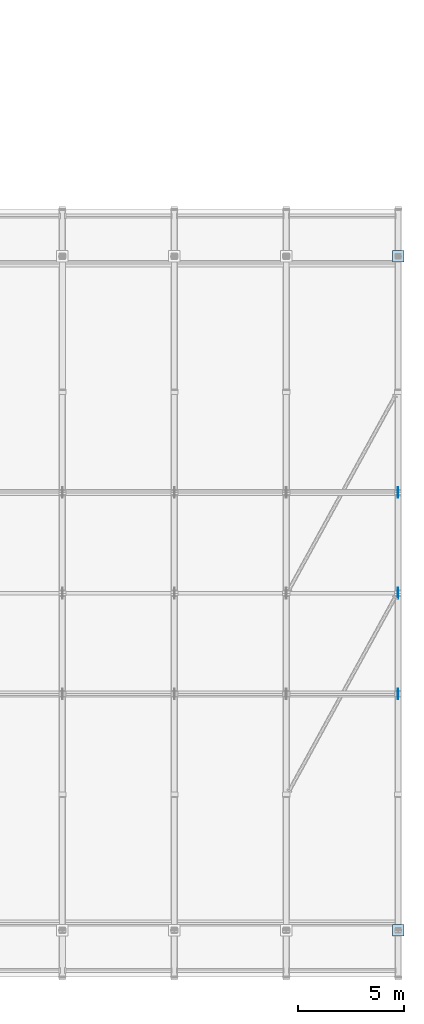
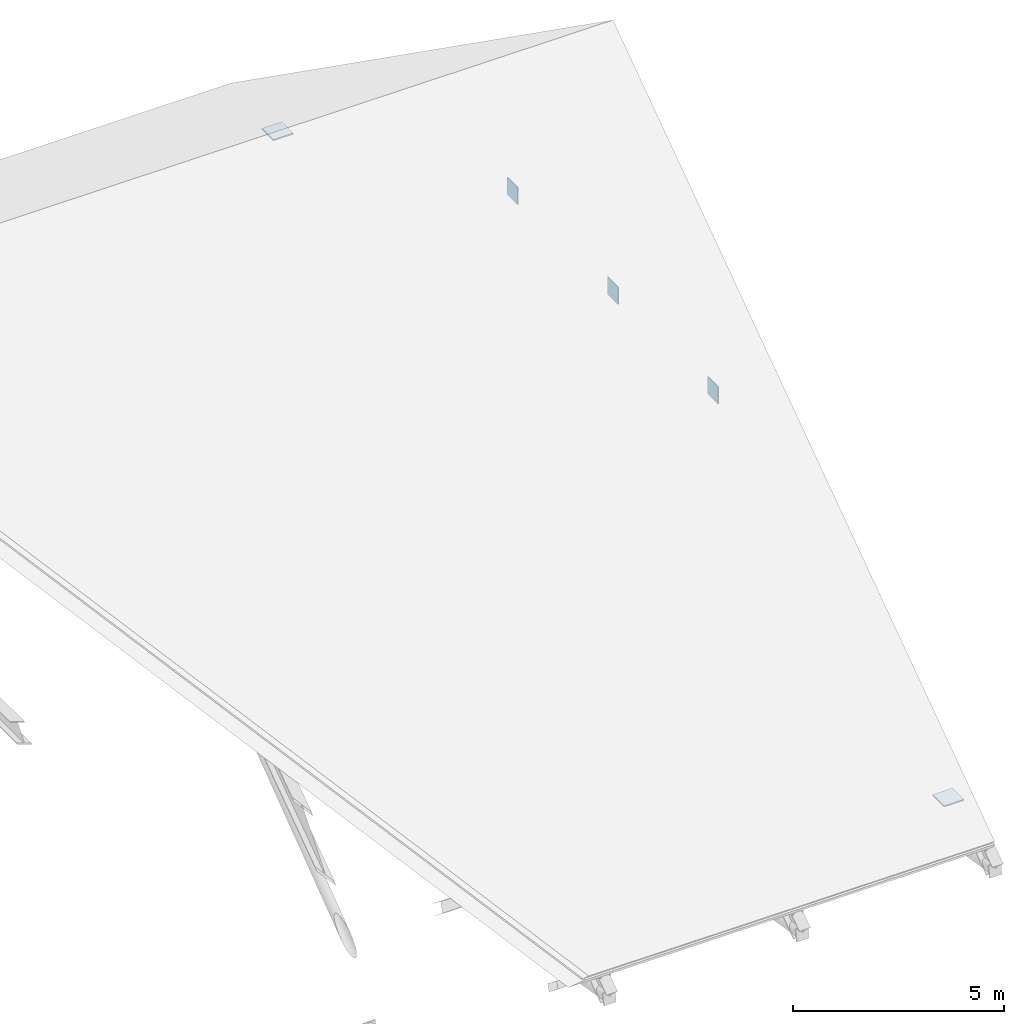
# One storey, part 38 of 57: 5 plates.
"""IFC4 building model written with IfcOpenShell, lengths in metres."""

import ifcopenshell
import ifcopenshell.guid

model = None  # the IFC model being written
_history = None  # IfcOwnerHistory: only IFC2X3 demands one
_inside = {}  # id of a spatial element -> (the spatial element, [elements in it])
_under = {}  # id of a project, library or spatial element -> (it, [spatial elements below it])
_declared = {}  # id of a project -> (the project, [libraries it declares])
_typed = {}  # id of a type object -> (the type object, [elements of that type])
_made_of = {}  # id of a material, layer set ... -> (it, [elements and type objects made of it])


def new_model(schema):
    """Start an empty IFC model of exactly this schema.

    Asked for "IFC4X3", IfcOpenShell would pick the latest addendum, in which some entities
    have other attributes; the version numbers below select the first issue.
    IFC2X3 requires an IfcOwnerHistory on every rooted entity: one is made here for all.
    """
    global model, _history
    if schema == "IFC4X3":
        model = ifcopenshell.file(schema_version=(4, 3, 0, 0))
    else:
        model = ifcopenshell.file(schema=schema)
    _inside.clear()
    _under.clear()
    _declared.clear()
    _typed.clear()
    _made_of.clear()
    _history = None
    if model.schema == "IFC2X3":
        org = make("IfcOrganization", Name="unknown")
        user = make(
            "IfcPersonAndOrganization",
            ThePerson=make("IfcPerson", FamilyName="unknown"),
            TheOrganization=org,
        )
        app = make(
            "IfcApplication",
            ApplicationDeveloper=org,
            Version="unknown",
            ApplicationFullName="unknown",
            ApplicationIdentifier="unknown",
        )
        _history = make(
            "IfcOwnerHistory",
            OwningUser=user,
            OwningApplication=app,
            ChangeAction="ADDED",
            CreationDate=0,
        )
    return model


def make(cls, **values):
    """One entity of the class cls with the attributes given. An attribute that is None is left unset."""
    return model.create_entity(
        cls, **{name: value for name, value in values.items() if value is not None}
    )


def rooted(cls, **values):
    """An entity with a GlobalId (a new one), such as an element, a storey or a relation."""
    return make(cls, GlobalId=ifcopenshell.guid.new(), OwnerHistory=_history, **values)


def si_unit(unit_type, name, prefix=None):
    """IfcSIUnit, for example si_unit("LENGTHUNIT", "METRE", prefix="MILLI")."""
    return make("IfcSIUnit", UnitType=unit_type, Prefix=prefix, Name=name)


def assignment(units):
    """IfcUnitAssignment: the units of a project."""
    return None if units is None else make("IfcUnitAssignment", Units=units)


def point(xyz):
    """IfcCartesianPoint."""
    return None if xyz is None else make("IfcCartesianPoint", Coordinates=xyz)


def direction(xyz):
    """IfcDirection."""
    return None if xyz is None else make("IfcDirection", DirectionRatios=xyz)


def frame(location, z_axis=None, x_axis=None):
    """IfcAxis2Placement3D, a coordinate frame: its origin and axes. An axis left out is left unset."""
    return make(
        "IfcAxis2Placement3D",
        Location=point(location),
        Axis=direction(z_axis),
        RefDirection=direction(x_axis),
    )


def frame_2d(location, x_axis=None):
    """IfcAxis2Placement2D, a coordinate frame in the plane: its origin and x axis."""
    return make(
        "IfcAxis2Placement2D", Location=point(location), RefDirection=direction(x_axis)
    )


def origin():
    """The frame at (0, 0, 0) with its axes left unset."""
    return frame((0.0, 0.0, 0.0))


def origin_2d():
    """The frame at (0, 0) in the plane with its x axis left unset."""
    return frame_2d((0.0, 0.0))


def place(relative_to, where):
    """IfcLocalPlacement: puts the frame where relative to a parent placement (None: the world)."""
    return make(
        "IfcLocalPlacement", PlacementRelTo=relative_to, RelativePlacement=where
    )


def context(
    kind, dimensions, precision=None, world=None, true_north=None, identifier=None
):
    """IfcGeometricRepresentationContext, for example the 3D "Model" context."""
    return make(
        "IfcGeometricRepresentationContext",
        ContextIdentifier=identifier,
        ContextType=kind,
        CoordinateSpaceDimension=dimensions,
        Precision=precision,
        WorldCoordinateSystem=world,
        TrueNorth=true_north,
    )


def subcontext(parent, identifier, kind, view, scale=None):
    """IfcGeometricRepresentationSubContext, for example "Body" below "Model"."""
    return make(
        "IfcGeometricRepresentationSubContext",
        ContextIdentifier=identifier,
        ContextType=kind,
        ParentContext=parent,
        TargetScale=scale,
        TargetView=view,
    )


def project(units=None, contexts=None):
    """IfcProject with its units and contexts."""
    return rooted(
        "IfcProject",
        Name="project",
        RepresentationContexts=contexts,
        UnitsInContext=assignment(units),
    )


def spatial(cls, under=None, at=None, **own):
    """A site, building, storey or space (cls), placed at a placement, below another one or the project."""
    s = rooted(cls, ObjectPlacement=at, **own)
    if under is not None:
        _under.setdefault(under.id(), (under, []))[1].append(s)
    return s


def profile(cls, at=None, kind="AREA", **sizes):
    """A parametric profile (cls). Its sizes go by their IFC names, for example OverallWidth=200.0."""
    return make(cls, ProfileType=kind, Position=at, **sizes)


def rectangle(**sizes):
    """IfcRectangleProfileDef."""
    return profile("IfcRectangleProfileDef", **sizes)


def extrude(swept, where, along, depth):
    """IfcExtrudedAreaSolid: the profile swept, set in the frame where, extruded along a direction by depth."""
    return make(
        "IfcExtrudedAreaSolid",
        SweptArea=swept,
        Position=where,
        ExtrudedDirection=direction(along),
        Depth=depth,
    )


def shape(context_of_items, identifier, shape_type, items):
    """IfcShapeRepresentation: the items that make up one representation, for example the "Body"."""
    return make(
        "IfcShapeRepresentation",
        ContextOfItems=context_of_items,
        RepresentationIdentifier=identifier,
        RepresentationType=shape_type,
        Items=items,
    )


def material(Name=None, Category=None):
    """IfcMaterial."""
    return make("IfcMaterial", Name=Name, Category=Category)


def layer(
    of_material, thickness, ventilated=None, Name=None, Category=None, Priority=None
):
    """IfcMaterialLayer: one layer of a wall or slab, of a material (None: an air gap)."""
    return make(
        "IfcMaterialLayer",
        Material=of_material,
        LayerThickness=thickness,
        IsVentilated=ventilated,
        Name=Name,
        Category=Category,
        Priority=Priority,
    )


def layer_set(layers, Name=None):
    """IfcMaterialLayerSet."""
    return make("IfcMaterialLayerSet", MaterialLayers=layers, LayerSetName=Name)


def made_of(thing, what):
    """Note that an element or type object is made of a material, layer set ...; save() writes the relation."""
    if what is not None:
        _made_of.setdefault(what.id(), (what, []))[1].append(thing)
    return thing


def type_object(cls, material=None, **own):
    """A type object (cls), such as IfcWallType, which elements share."""
    return made_of(rooted(cls, **own), material)


def element(
    cls,
    number,
    at=None,
    inside=None,
    cuts=None,
    type_object=None,
    material=None,
    context=None,
    identifier="Body",
    shape_type=None,
    held_by="IfcProductDefinitionShape",
    body=None,
    shapes=None,
    **own,
):
    """One element of the class cls, such as IfcWall. Its Tag is "e" and its number.

    at: its placement. inside: the storey or other place that contains it. cuts: it is an
    opening in that element (IfcRelVoidsElement). A single representation is given by context,
    identifier, shape_type and body (its items); several are given by shapes. held_by: the class
    of the entity that holds the representations. save() writes the other relations.
    """
    e = rooted(cls, Tag="e%d" % number, ObjectPlacement=at, **own)
    if body is not None:
        shapes = [shape(context, identifier, shape_type, body)]
    if shapes is not None:
        e.Representation = make(held_by, Representations=shapes)
    if inside is not None:
        _inside.setdefault(inside.id(), (inside, []))[1].append(e)
    if cuts is not None:
        rooted(
            "IfcRelVoidsElement", RelatingBuildingElement=cuts, RelatedOpeningElement=e
        )
    if type_object is not None:
        _typed.setdefault(type_object.id(), (type_object, []))[1].append(e)
    return made_of(e, material)


def aggregate(whole, parts):
    """IfcRelAggregates: a whole, such as a stair, and the parts it consists of."""
    return rooted("IfcRelAggregates", RelatingObject=whole, RelatedObjects=parts)


def save(model, path):
    """Write the relations noted so far, then the file.

    IfcRelAggregates (storeys below a building ...), IfcRelContainedInSpatialStructure (elements
    in a storey), IfcRelDefinesByType, IfcRelAssociatesMaterial and IfcRelDeclares: one each for
    every whole, place, type object, material and project.
    """
    for whole, parts in _under.values():
        aggregate(whole, parts)
    for where, things in _inside.values():
        rooted(
            "IfcRelContainedInSpatialStructure",
            RelatedElements=things,
            RelatingStructure=where,
        )
    for kind, things in _typed.values():
        rooted("IfcRelDefinesByType", RelatedObjects=things, RelatingType=kind)
    for what, things in _made_of.values():
        rooted("IfcRelAssociatesMaterial", RelatedObjects=things, RelatingMaterial=what)
    for by, libraries in _declared.values():
        rooted("IfcRelDeclares", RelatingContext=by, RelatedDefinitions=libraries)
    model.write(path)


model = new_model("IFC4")

# Units and contexts
model_context = context("Model", 3, precision=1e-05, world=origin(), true_north=direction((0.0, 1.0)))
body_context = subcontext(model_context, "Body", "Model", "MODEL_VIEW")
ifc_project = project(units=[si_unit("LENGTHUNIT", "METRE"), si_unit("AREAUNIT", "SQUARE_METRE"), si_unit("VOLUMEUNIT", "CUBIC_METRE"), si_unit("PLANEANGLEUNIT", "RADIAN"), si_unit("MASSUNIT", "GRAM", prefix="KILO")], contexts=[model_context])

# Site, building, storey
site_placement = place(None, origin())
site = spatial("IfcSite", under=ifc_project, at=site_placement, CompositionType="ELEMENT")
building_placement = place(site_placement, origin())
building = spatial("IfcBuilding", under=site, at=building_placement, Name="Kelarvand Opera House", CompositionType="ELEMENT")
storey_placement = place(building_placement, frame((0.0, 0.0, 33.60009765625)))
storey = spatial("IfcBuildingStorey", under=building, at=storey_placement, Name="Roof", CompositionType="ELEMENT", Elevation=33.60009765625)

# Plates
ifc_material = material(Name="Steel S355", Category="steel")
ifc_layer_1 = layer(ifc_material, 0.035888671875, Name="Steel S355", Category="steel")
ifc_layer_set_1 = layer_set([ifc_layer_1], Name="Steel S355")
plate_type_1 = type_object("IfcPlateType", Name="Steel Truss Bearing Base Plate 36mm", PredefinedType="USERDEFINED", material=ifc_layer_set_1)
for number, where, z_axis, x_axis, name in (
    (1, (141.800048828125, 46.60009765625, -9.60009765625), (0.0, 0.0, 1.0), (1.0, 0.0, 0.0), "V1 Roof Truss Bearing Plate 11S"),
    (2, (141.800048828125, 78.39990234375, -9.60009765625), (0.0, 0.0, 1.0), (1.0, 0.0, 0.0), "V1 Roof Truss Bearing Plate 11N"),
):
    element("IfcPlate", number, at=place(storey_placement, frame(where, z_axis=z_axis, x_axis=x_axis)), inside=storey, type_object=plate_type_1, Name=name, ObjectType="BASE PLATE", PredefinedType="USERDEFINED", context=body_context, shape_type="SweptSolid", body=[
        extrude(rectangle(XDim=0.550048828125, YDim=0.550048828125, at=origin_2d()), origin(), (0.0, 0.0, 1.0), 0.035888671875),
    ])
ifc_layer_2 = layer(ifc_material, 0.02392578125, Name="Steel S355", Category="steel")
ifc_layer_set_2 = layer_set([ifc_layer_2], Name="Steel S355")
plate_type_2 = type_object("IfcPlateType", Name="Steel Truss Gusset Plate 24mm", PredefinedType="SHEET", material=ifc_layer_set_2)
for number, where, z_axis, x_axis, name in (
    (3, (141.800048828125, 57.75, -4.800048828125), (0.0, 0.0, 1.0), (1.0, 0.0, 0.0), "Roof Truss Gusset Plate 59"),
    (4, (141.800048828125, 62.5, -4.800048828125), (0.0, 0.0, 1.0), (1.0, 0.0, 0.0), "Roof Truss Gusset Plate 60"),
    (5, (141.800048828125, 67.25, -4.800048828125), (0.0, 0.0, 1.0), (1.0, 0.0, 0.0), "Roof Truss Gusset Plate 61"),
):
    element("IfcPlate", number, at=place(storey_placement, frame(where, z_axis=z_axis, x_axis=x_axis)), inside=storey, type_object=plate_type_2, Name=name, PredefinedType="SHEET", context=body_context, shape_type="SweptSolid", body=[
        extrude(rectangle(XDim=0.02392578125, YDim=0.5, at=origin_2d()), origin(), (0.0, 0.0, 1.0), 0.5),
    ])

save(model, "model.ifc")
